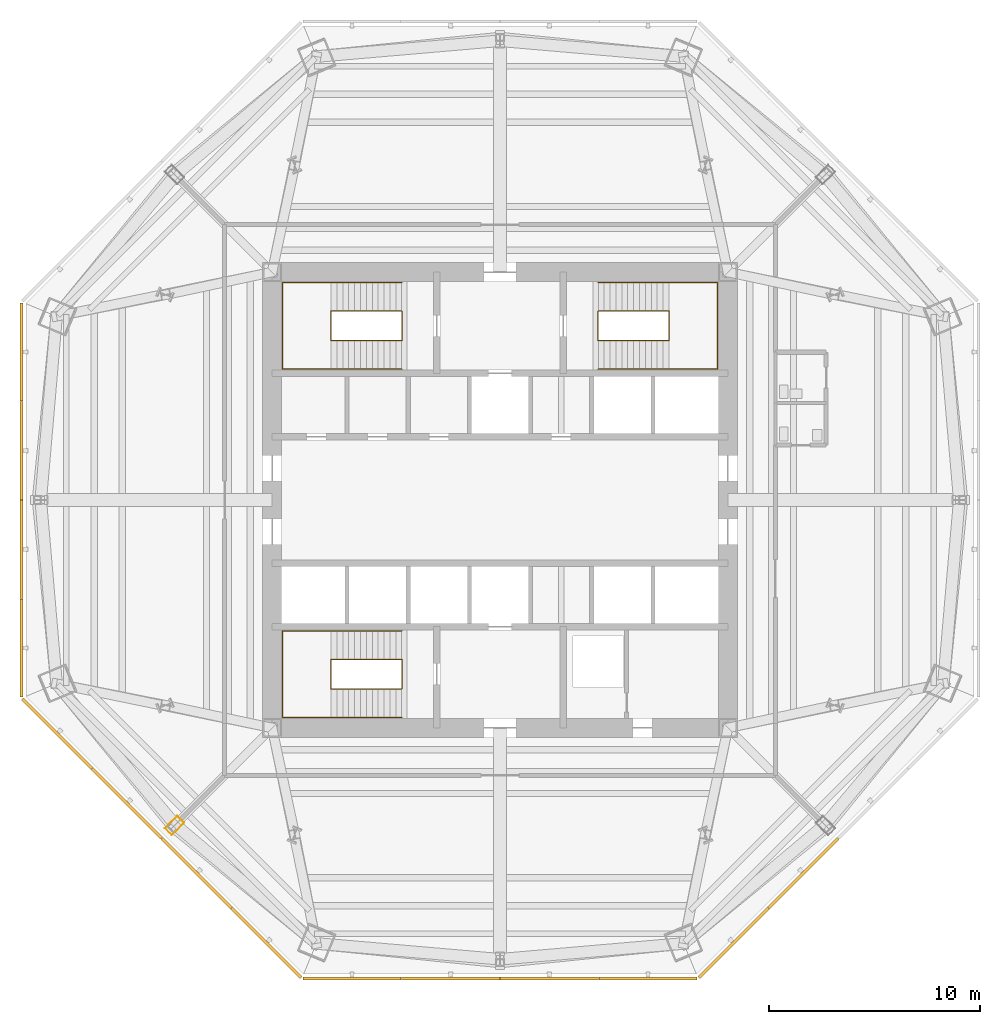
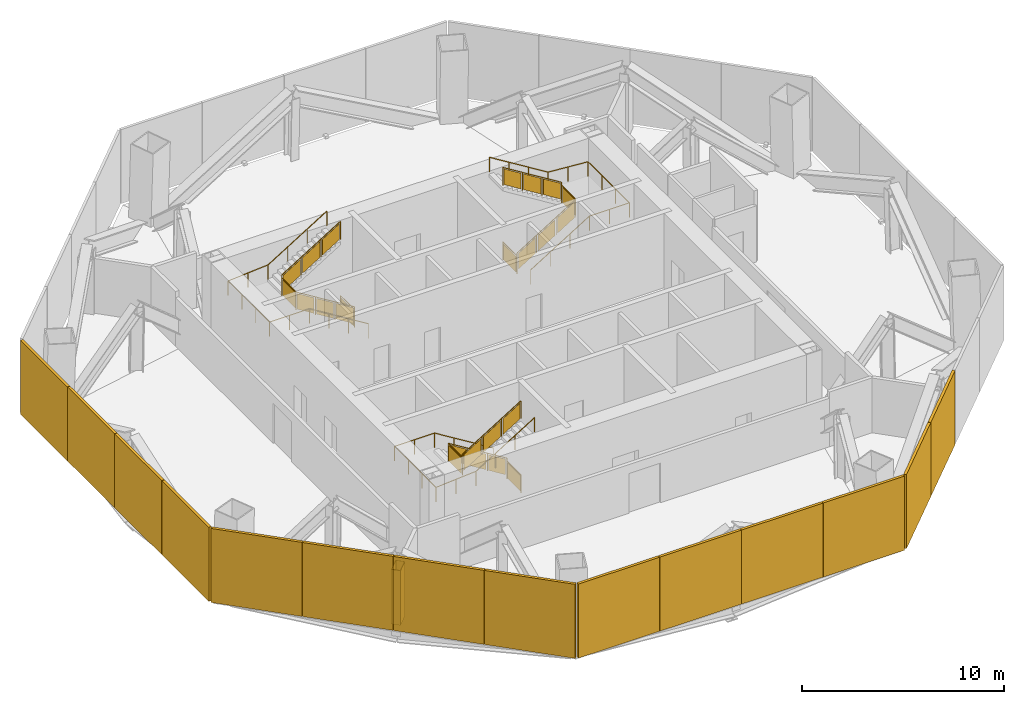
# One storey, part 7 of 9: 14 shading devices, 6 railings, 1 covering.
"""IFC4 building model written with IfcOpenShell, lengths in metres."""

from ifc_helpers import new_model, si_unit, direction, frame, origin, origin_2d, place, context, subcontext, project, spatial, polyline, rectangle, circle, outline, extrude, source, transform, mapped, material, layer, layer_set, type_object, type_shapes, element, save


model = new_model("IFC4")

# Units and contexts
model_context = context("Model", 3, precision=1e-05, world=origin(), true_north=direction((0.0, 1.0)))
body_context = subcontext(model_context, "Body", "Model", "MODEL_VIEW")
ifc_project = project(units=[si_unit("LENGTHUNIT", "METRE"), si_unit("AREAUNIT", "SQUARE_METRE"), si_unit("VOLUMEUNIT", "CUBIC_METRE"), si_unit("PLANEANGLEUNIT", "RADIAN"), si_unit("MASSUNIT", "GRAM", prefix="KILO")], contexts=[model_context])

# Site, building, storey
site_placement = place(None, origin())
site = spatial("IfcSite", under=ifc_project, at=site_placement, CompositionType="ELEMENT")
building_placement = place(site_placement, origin())
building = spatial("IfcBuilding", under=site, at=building_placement, Name="Mashrafa Tower", CompositionType="ELEMENT")
storey_placement = place(building_placement, frame((0.0, 0.0, 189.0)))
storey = spatial("IfcBuildingStorey", under=building, at=storey_placement, Name="L43", CompositionType="ELEMENT", Elevation=189.0)

# Covering
ifc_material_1 = material(Name="Gypsum board")
ifc_layer_1 = layer(ifc_material_1, 0.014892578125)
ifc_layer_set_1 = layer_set([ifc_layer_1], Name="Column casing plasterboard 15")
covering_type = type_object("IfcCoveringType", Name="Column casing plasterboard 15", PredefinedType="CLADDING", material=ifc_layer_set_1)
covering_placement = place(storey_placement, origin())
element("IfcCovering", 1, at=covering_placement, inside=storey, type_object=covering_type, Name="Column casing L43-003", PredefinedType="CLADDING", context=body_context, shape_type="SweptSolid", body=[
    extrude(outline(polyline([(-15.89111328125, -15.551513671875), (-15.298583984375, -14.959228515625), (-14.959228515625, -15.298583984375), (-15.551513671875, -15.89111328125), (-15.89111328125, -15.551513671875)]), holes=[polyline([(-14.98046875, -15.298583984375), (-15.298583984375, -14.98046875), (-15.869873046875, -15.551513671875), (-15.551513671875, -15.869873046875), (-14.98046875, -15.298583984375)])]), origin(), (0.0, 0.0, 1.0), 3.31298828125),
])

# Railings
ifc_material_2 = material(Name="Steel guard with glass infill", Category="steel")
railing_type_1 = type_object("IfcRailingType", Name="Stair guard 1100", PredefinedType="GUARDRAIL", material=ifc_material_2)
railing_1_placement = place(storey_placement, frame((-4.64990234375, 8.949951171875, 0.0)))
element("IfcRailing", 2, at=railing_1_placement, inside=storey, type_object=railing_type_1, Name="Stair S1 guard L43", PredefinedType="GUARDRAIL", context=body_context, shape_type="SweptSolid", body=[
    extrude(circle(Radius=0.02392578125, at=origin_2d()), frame((0.0, 0.0, 1.076171875), z_axis=(0.0, -1.0, 0.0), x_axis=(1.0, 0.0, 0.0)), (0.0, 0.0, 1.0), 1.39990234375),
    extrude(circle(Radius=0.02392578125, at=origin_2d()), frame((0.0, -1.39990234375, 1.076171875), z_axis=(0.0, 0.0, 1.0), x_axis=(1.0, 0.0, 0.0)), (0.0, 0.0, 1.0), 0.173095703125),
    extrude(circle(Radius=0.02392578125, at=origin_2d()), frame((0.0, -1.39990234375, 1.2490234375), z_axis=(-0.850623216509, 0.0, 0.525775754039), x_axis=(0.0, -1.0, 0.0)), (0.0, 0.0, 1.0), 3.9501953125),
    extrude(circle(Radius=0.02392578125, at=origin_2d()), frame((-3.360107421875, -1.39990234375, 3.326171875), z_axis=(0.0, 1.0, 0.0), x_axis=(-1.0, 0.0, 0.0)), (0.0, 0.0, 1.0), 1.39990234375),
    extrude(circle(Radius=0.02392578125, at=origin_2d()), frame((-3.360107421875, 0.0, 3.326171875), z_axis=(0.0, 0.0, 1.0), x_axis=(1.0, 0.0, 0.0)), (0.0, 0.0, 1.0), 0.173095703125),
    extrude(circle(Radius=0.02392578125, at=origin_2d()), frame((-3.360107421875, 0.0, 3.4990234375), z_axis=(0.850623216509, 0.0, 0.525775754039), x_axis=(0.0, 1.0, 0.0)), (0.0, 0.0, 1.0), 3.9501953125),
    extrude(circle(Radius=0.02099609375, at=origin_2d()), origin(), (0.0, 0.0, 1.0), 1.052001953125),
    extrude(circle(Radius=0.02099609375, at=origin_2d()), frame((0.0, -1.39990234375, 0.0)), (0.0, 0.0, 1.0), 1.052001953125),
    extrude(circle(Radius=0.02099609375, at=origin_2d()), frame((0.0, -1.39990234375, 0.173095703125)), (0.0, 0.0, 1.0), 1.052001953125),
    extrude(circle(Radius=0.02099609375, at=origin_2d()), frame((-1.1201171875, -1.39990234375, 0.865478515625)), (0.0, 0.0, 1.0), 1.052001953125),
    extrude(circle(Radius=0.02099609375, at=origin_2d()), frame((-2.239990234375, -1.39990234375, 1.5576171875)), (0.0, 0.0, 1.0), 1.052001953125),
    extrude(circle(Radius=0.02099609375, at=origin_2d()), frame((-3.360107421875, -1.39990234375, 2.25)), (0.0, 0.0, 1.0), 1.052001953125),
    extrude(circle(Radius=0.02099609375, at=origin_2d()), frame((-3.360107421875, 0.0, 2.25)), (0.0, 0.0, 1.0), 1.052001953125),
    extrude(circle(Radius=0.02099609375, at=origin_2d()), frame((-3.360107421875, 0.0, 2.423095703125)), (0.0, 0.0, 1.0), 1.052001953125),
    extrude(circle(Radius=0.02099609375, at=origin_2d()), frame((-2.239990234375, 0.0, 3.115478515625)), (0.0, 0.0, 1.0), 1.052001953125),
    extrude(circle(Radius=0.02099609375, at=origin_2d()), frame((-1.1201171875, 0.0, 3.8076171875)), (0.0, 0.0, 1.0), 1.052001953125),
    extrude(circle(Radius=0.02099609375, at=origin_2d()), frame((0.0, 0.0, 4.5)), (0.0, 0.0, 1.0), 1.052001953125),
    extrude(outline(polyline([(0.071044921875, 0.050048828125), (1.328857421875, 0.050048828125), (1.328857421875, 1.001953125), (0.071044921875, 1.001953125), (0.071044921875, 0.050048828125)])), frame((-0.006103515625, 0.0, 0.0), z_axis=(-1.0, 0.0, 0.0), x_axis=(0.0, -1.0, 0.0)), (0.0, 0.0, 1.0), 0.011962890625),
    extrude(outline(polyline([(0.071044921875, 0.093994140625), (1.049072265625, 0.698486328125), (1.049072265625, 1.650390625), (0.071044921875, 1.0458984375), (0.071044921875, 0.093994140625)])), frame((0.0, -1.393798828125, 0.173095703125), z_axis=(0.0, 1.0, 0.0), x_axis=(-1.0, 0.0, 0.0)), (0.0, 0.0, 1.0), 0.011962890625),
    extrude(outline(polyline([(1.19091796875, 0.7861328125), (2.169189453125, 1.390625), (2.169189453125, 2.3427734375), (1.19091796875, 1.73828125), (1.19091796875, 0.7861328125)])), frame((0.0, -1.393798828125, 0.173095703125), z_axis=(0.0, 1.0, 0.0), x_axis=(-1.0, 0.0, 0.0)), (0.0, 0.0, 1.0), 0.011962890625),
    extrude(outline(polyline([(2.31103515625, 1.478515625), (3.2890625, 2.0830078125), (3.2890625, 3.034912109375), (2.31103515625, 2.430419921875), (2.31103515625, 1.478515625)])), frame((0.0, -1.393798828125, 0.173095703125), z_axis=(0.0, 1.0, 0.0), x_axis=(-1.0, 0.0, 0.0)), (0.0, 0.0, 1.0), 0.011962890625),
    extrude(outline(polyline([(0.071044921875, 0.050048828125), (1.328857421875, 0.050048828125), (1.328857421875, 1.001953125), (0.071044921875, 1.001953125), (0.071044921875, 0.050048828125)])), frame((-3.35400390625, -1.39990234375, 2.25), z_axis=(1.0, 0.0, 0.0), x_axis=(0.0, 1.0, 0.0)), (0.0, 0.0, 1.0), 0.011962890625),
    extrude(outline(polyline([(0.071044921875, 0.093994140625), (1.049072265625, 0.698486328125), (1.049072265625, 1.650390625), (0.071044921875, 1.0458984375), (0.071044921875, 0.093994140625)])), frame((-3.360107421875, -0.006103515625, 2.423095703125), z_axis=(0.0, -1.0, 0.0), x_axis=(1.0, 0.0, 0.0)), (0.0, 0.0, 1.0), 0.011962890625),
    extrude(outline(polyline([(1.19091796875, 0.7861328125), (2.169189453125, 1.390625), (2.169189453125, 2.3427734375), (1.19091796875, 1.73828125), (1.19091796875, 0.7861328125)])), frame((-3.360107421875, -0.006103515625, 2.423095703125), z_axis=(0.0, -1.0, 0.0), x_axis=(1.0, 0.0, 0.0)), (0.0, 0.0, 1.0), 0.011962890625),
    extrude(outline(polyline([(2.31103515625, 1.478515625), (3.2890625, 2.0830078125), (3.2890625, 3.034912109375), (2.31103515625, 2.430419921875), (2.31103515625, 1.478515625)])), frame((-3.360107421875, -0.006103515625, 2.423095703125), z_axis=(0.0, -1.0, 0.0), x_axis=(1.0, 0.0, 0.0)), (0.0, 0.0, 1.0), 0.011962890625),
])
railing_2_placement = place(storey_placement, frame((4.64990234375, 8.949951171875, 0.0)))
element("IfcRailing", 3, at=railing_2_placement, inside=storey, type_object=railing_type_1, Name="Stair S2 guard L43", PredefinedType="GUARDRAIL", context=body_context, shape_type="SweptSolid", body=[
    extrude(circle(Radius=0.02392578125, at=origin_2d()), frame((0.0, 0.0, 1.076171875), z_axis=(0.0, -1.0, 0.0), x_axis=(1.0, 0.0, 0.0)), (0.0, 0.0, 1.0), 1.39990234375),
    extrude(circle(Radius=0.02392578125, at=origin_2d()), frame((0.0, -1.39990234375, 1.076171875), z_axis=(0.0, 0.0, 1.0), x_axis=(1.0, 0.0, 0.0)), (0.0, 0.0, 1.0), 0.173095703125),
    extrude(circle(Radius=0.02392578125, at=origin_2d()), frame((0.0, -1.39990234375, 1.2490234375), z_axis=(0.850623216509, 0.0, 0.525775754039), x_axis=(0.0, 1.0, 0.0)), (0.0, 0.0, 1.0), 3.9501953125),
    extrude(circle(Radius=0.02392578125, at=origin_2d()), frame((3.360107421875, -1.39990234375, 3.326171875), z_axis=(0.0, 1.0, 0.0), x_axis=(-1.0, 0.0, 0.0)), (0.0, 0.0, 1.0), 1.39990234375),
    extrude(circle(Radius=0.02392578125, at=origin_2d()), frame((3.360107421875, 0.0, 3.326171875), z_axis=(0.0, 0.0, 1.0), x_axis=(1.0, 0.0, 0.0)), (0.0, 0.0, 1.0), 0.173095703125),
    extrude(circle(Radius=0.02392578125, at=origin_2d()), frame((3.360107421875, 0.0, 3.4990234375), z_axis=(-0.850623216509, 0.0, 0.525775754039), x_axis=(0.0, -1.0, 0.0)), (0.0, 0.0, 1.0), 3.9501953125),
    extrude(circle(Radius=0.02099609375, at=origin_2d()), origin(), (0.0, 0.0, 1.0), 1.052001953125),
    extrude(circle(Radius=0.02099609375, at=origin_2d()), frame((0.0, -1.39990234375, 0.0)), (0.0, 0.0, 1.0), 1.052001953125),
    extrude(circle(Radius=0.02099609375, at=origin_2d()), frame((0.0, -1.39990234375, 0.173095703125)), (0.0, 0.0, 1.0), 1.052001953125),
    extrude(circle(Radius=0.02099609375, at=origin_2d()), frame((1.1201171875, -1.39990234375, 0.865478515625)), (0.0, 0.0, 1.0), 1.052001953125),
    extrude(circle(Radius=0.02099609375, at=origin_2d()), frame((2.239990234375, -1.39990234375, 1.5576171875)), (0.0, 0.0, 1.0), 1.052001953125),
    extrude(circle(Radius=0.02099609375, at=origin_2d()), frame((3.360107421875, -1.39990234375, 2.25)), (0.0, 0.0, 1.0), 1.052001953125),
    extrude(circle(Radius=0.02099609375, at=origin_2d()), frame((3.360107421875, 0.0, 2.25)), (0.0, 0.0, 1.0), 1.052001953125),
    extrude(circle(Radius=0.02099609375, at=origin_2d()), frame((3.360107421875, 0.0, 2.423095703125)), (0.0, 0.0, 1.0), 1.052001953125),
    extrude(circle(Radius=0.02099609375, at=origin_2d()), frame((2.239990234375, 0.0, 3.115478515625)), (0.0, 0.0, 1.0), 1.052001953125),
    extrude(circle(Radius=0.02099609375, at=origin_2d()), frame((1.1201171875, 0.0, 3.8076171875)), (0.0, 0.0, 1.0), 1.052001953125),
    extrude(circle(Radius=0.02099609375, at=origin_2d()), frame((0.0, 0.0, 4.5)), (0.0, 0.0, 1.0), 1.052001953125),
    extrude(outline(polyline([(0.071044921875, 0.050048828125), (1.328857421875, 0.050048828125), (1.328857421875, 1.001953125), (0.071044921875, 1.001953125), (0.071044921875, 0.050048828125)])), frame((-0.006103515625, 0.0, 0.0), z_axis=(-1.0, 0.0, 0.0), x_axis=(0.0, -1.0, 0.0)), (0.0, 0.0, 1.0), 0.011962890625),
    extrude(outline(polyline([(0.071044921875, 0.093994140625), (1.049072265625, 0.698486328125), (1.049072265625, 1.650390625), (0.071044921875, 1.0458984375), (0.071044921875, 0.093994140625)])), frame((0.0, -1.406005859375, 0.173095703125), z_axis=(0.0, -1.0, 0.0), x_axis=(1.0, 0.0, 0.0)), (0.0, 0.0, 1.0), 0.011962890625),
    extrude(outline(polyline([(1.19091796875, 0.7861328125), (2.169189453125, 1.390625), (2.169189453125, 2.3427734375), (1.19091796875, 1.73828125), (1.19091796875, 0.7861328125)])), frame((0.0, -1.406005859375, 0.173095703125), z_axis=(0.0, -1.0, 0.0), x_axis=(1.0, 0.0, 0.0)), (0.0, 0.0, 1.0), 0.011962890625),
    extrude(outline(polyline([(2.31103515625, 1.478515625), (3.2890625, 2.0830078125), (3.2890625, 3.034912109375), (2.31103515625, 2.430419921875), (2.31103515625, 1.478515625)])), frame((0.0, -1.406005859375, 0.173095703125), z_axis=(0.0, -1.0, 0.0), x_axis=(1.0, 0.0, 0.0)), (0.0, 0.0, 1.0), 0.011962890625),
    extrude(outline(polyline([(0.071044921875, 0.050048828125), (1.328857421875, 0.050048828125), (1.328857421875, 1.001953125), (0.071044921875, 1.001953125), (0.071044921875, 0.050048828125)])), frame((3.3662109375, -1.39990234375, 2.25), z_axis=(1.0, 0.0, 0.0), x_axis=(0.0, 1.0, 0.0)), (0.0, 0.0, 1.0), 0.011962890625),
    extrude(outline(polyline([(0.071044921875, 0.093994140625), (1.049072265625, 0.698486328125), (1.049072265625, 1.650390625), (0.071044921875, 1.0458984375), (0.071044921875, 0.093994140625)])), frame((3.360107421875, 0.006103515625, 2.423095703125), z_axis=(0.0, 1.0, 0.0), x_axis=(-1.0, 0.0, 0.0)), (0.0, 0.0, 1.0), 0.011962890625),
    extrude(outline(polyline([(1.19091796875, 0.7861328125), (2.169189453125, 1.390625), (2.169189453125, 2.3427734375), (1.19091796875, 1.73828125), (1.19091796875, 0.7861328125)])), frame((3.360107421875, 0.006103515625, 2.423095703125), z_axis=(0.0, 1.0, 0.0), x_axis=(-1.0, 0.0, 0.0)), (0.0, 0.0, 1.0), 0.011962890625),
    extrude(outline(polyline([(2.31103515625, 1.478515625), (3.2890625, 2.0830078125), (3.2890625, 3.034912109375), (2.31103515625, 2.430419921875), (2.31103515625, 1.478515625)])), frame((3.360107421875, 0.006103515625, 2.423095703125), z_axis=(0.0, 1.0, 0.0), x_axis=(-1.0, 0.0, 0.0)), (0.0, 0.0, 1.0), 0.011962890625),
])
railing_3_placement = place(storey_placement, frame((-4.64990234375, -8.949951171875, 0.0)))
element("IfcRailing", 4, at=railing_3_placement, inside=storey, type_object=railing_type_1, Name="Stair S3 guard L43", PredefinedType="GUARDRAIL", context=body_context, shape_type="SweptSolid", body=[
    extrude(circle(Radius=0.02392578125, at=origin_2d()), frame((0.0, 0.0, 1.076171875), z_axis=(0.0, 1.0, 0.0), x_axis=(-1.0, 0.0, 0.0)), (0.0, 0.0, 1.0), 1.39990234375),
    extrude(circle(Radius=0.02392578125, at=origin_2d()), frame((0.0, 1.39990234375, 1.076171875), z_axis=(0.0, 0.0, 1.0), x_axis=(1.0, 0.0, 0.0)), (0.0, 0.0, 1.0), 0.173095703125),
    extrude(circle(Radius=0.02392578125, at=origin_2d()), frame((0.0, 1.39990234375, 1.2490234375), z_axis=(-0.850623216509, 0.0, 0.525775754039), x_axis=(0.0, -1.0, 0.0)), (0.0, 0.0, 1.0), 3.9501953125),
    extrude(circle(Radius=0.02392578125, at=origin_2d()), frame((-3.360107421875, 1.39990234375, 3.326171875), z_axis=(0.0, -1.0, 0.0), x_axis=(1.0, 0.0, 0.0)), (0.0, 0.0, 1.0), 1.39990234375),
    extrude(circle(Radius=0.02392578125, at=origin_2d()), frame((-3.360107421875, 0.0, 3.326171875), z_axis=(0.0, 0.0, 1.0), x_axis=(1.0, 0.0, 0.0)), (0.0, 0.0, 1.0), 0.173095703125),
    extrude(circle(Radius=0.02392578125, at=origin_2d()), frame((-3.360107421875, 0.0, 3.4990234375), z_axis=(0.850623216509, 0.0, 0.525775754039), x_axis=(0.0, 1.0, 0.0)), (0.0, 0.0, 1.0), 3.9501953125),
    extrude(circle(Radius=0.02099609375, at=origin_2d()), origin(), (0.0, 0.0, 1.0), 1.052001953125),
    extrude(circle(Radius=0.02099609375, at=origin_2d()), frame((0.0, 1.39990234375, 0.0)), (0.0, 0.0, 1.0), 1.052001953125),
    extrude(circle(Radius=0.02099609375, at=origin_2d()), frame((0.0, 1.39990234375, 0.173095703125)), (0.0, 0.0, 1.0), 1.052001953125),
    extrude(circle(Radius=0.02099609375, at=origin_2d()), frame((-1.1201171875, 1.39990234375, 0.865478515625)), (0.0, 0.0, 1.0), 1.052001953125),
    extrude(circle(Radius=0.02099609375, at=origin_2d()), frame((-2.239990234375, 1.39990234375, 1.5576171875)), (0.0, 0.0, 1.0), 1.052001953125),
    extrude(circle(Radius=0.02099609375, at=origin_2d()), frame((-3.360107421875, 1.39990234375, 2.25)), (0.0, 0.0, 1.0), 1.052001953125),
    extrude(circle(Radius=0.02099609375, at=origin_2d()), frame((-3.360107421875, 0.0, 2.25)), (0.0, 0.0, 1.0), 1.052001953125),
    extrude(circle(Radius=0.02099609375, at=origin_2d()), frame((-3.360107421875, 0.0, 2.423095703125)), (0.0, 0.0, 1.0), 1.052001953125),
    extrude(circle(Radius=0.02099609375, at=origin_2d()), frame((-2.239990234375, 0.0, 3.115478515625)), (0.0, 0.0, 1.0), 1.052001953125),
    extrude(circle(Radius=0.02099609375, at=origin_2d()), frame((-1.1201171875, 0.0, 3.8076171875)), (0.0, 0.0, 1.0), 1.052001953125),
    extrude(circle(Radius=0.02099609375, at=origin_2d()), frame((0.0, 0.0, 4.5)), (0.0, 0.0, 1.0), 1.052001953125),
    extrude(outline(polyline([(0.071044921875, 0.050048828125), (1.328857421875, 0.050048828125), (1.328857421875, 1.001953125), (0.071044921875, 1.001953125), (0.071044921875, 0.050048828125)])), frame((0.006103515625, 0.0, 0.0), z_axis=(1.0, 0.0, 0.0), x_axis=(0.0, 1.0, 0.0)), (0.0, 0.0, 1.0), 0.011962890625),
    extrude(outline(polyline([(0.071044921875, 0.093994140625), (1.049072265625, 0.698486328125), (1.049072265625, 1.650390625), (0.071044921875, 1.0458984375), (0.071044921875, 0.093994140625)])), frame((0.0, 1.406005859375, 0.173095703125), z_axis=(0.0, 1.0, 0.0), x_axis=(-1.0, 0.0, 0.0)), (0.0, 0.0, 1.0), 0.011962890625),
    extrude(outline(polyline([(1.19091796875, 0.7861328125), (2.169189453125, 1.390625), (2.169189453125, 2.3427734375), (1.19091796875, 1.73828125), (1.19091796875, 0.7861328125)])), frame((0.0, 1.406005859375, 0.173095703125), z_axis=(0.0, 1.0, 0.0), x_axis=(-1.0, 0.0, 0.0)), (0.0, 0.0, 1.0), 0.011962890625),
    extrude(outline(polyline([(2.31103515625, 1.478515625), (3.2890625, 2.0830078125), (3.2890625, 3.034912109375), (2.31103515625, 2.430419921875), (2.31103515625, 1.478515625)])), frame((0.0, 1.406005859375, 0.173095703125), z_axis=(0.0, 1.0, 0.0), x_axis=(-1.0, 0.0, 0.0)), (0.0, 0.0, 1.0), 0.011962890625),
    extrude(outline(polyline([(0.071044921875, 0.050048828125), (1.328857421875, 0.050048828125), (1.328857421875, 1.001953125), (0.071044921875, 1.001953125), (0.071044921875, 0.050048828125)])), frame((-3.3662109375, 1.39990234375, 2.25), z_axis=(-1.0, 0.0, 0.0), x_axis=(0.0, -1.0, 0.0)), (0.0, 0.0, 1.0), 0.011962890625),
    extrude(outline(polyline([(0.071044921875, 0.093994140625), (1.049072265625, 0.698486328125), (1.049072265625, 1.650390625), (0.071044921875, 1.0458984375), (0.071044921875, 0.093994140625)])), frame((-3.360107421875, -0.006103515625, 2.423095703125), z_axis=(0.0, -1.0, 0.0), x_axis=(1.0, 0.0, 0.0)), (0.0, 0.0, 1.0), 0.011962890625),
    extrude(outline(polyline([(1.19091796875, 0.7861328125), (2.169189453125, 1.390625), (2.169189453125, 2.3427734375), (1.19091796875, 1.73828125), (1.19091796875, 0.7861328125)])), frame((-3.360107421875, -0.006103515625, 2.423095703125), z_axis=(0.0, -1.0, 0.0), x_axis=(1.0, 0.0, 0.0)), (0.0, 0.0, 1.0), 0.011962890625),
    extrude(outline(polyline([(2.31103515625, 1.478515625), (3.2890625, 2.0830078125), (3.2890625, 3.034912109375), (2.31103515625, 2.430419921875), (2.31103515625, 1.478515625)])), frame((-3.360107421875, -0.006103515625, 2.423095703125), z_axis=(0.0, -1.0, 0.0), x_axis=(1.0, 0.0, 0.0)), (0.0, 0.0, 1.0), 0.011962890625),
])
ifc_material_3 = material(Name="Steel", Category="steel")
railing_type_2 = type_object("IfcRailingType", Name="Stair handrail 900", PredefinedType="HANDRAIL", material=ifc_material_3)
railing_4_placement = place(storey_placement, frame((-4.64990234375, 6.199951171875, 0.173095703125)))
element("IfcRailing", 5, at=railing_4_placement, inside=storey, type_object=railing_type_2, Name="Stair S1 handrail L43", PredefinedType="HANDRAIL", context=body_context, shape_type="SweptSolid", body=[
    extrude(circle(Radius=0.02392578125, at=origin_2d()), frame((0.0, 0.0, 0.8759765625), z_axis=(-0.850623216509, 0.0, 0.525775754039), x_axis=(0.0, -1.0, 0.0)), (0.0, 0.0, 1.0), 3.9501953125),
    extrude(circle(Radius=0.02392578125, at=origin_2d()), frame((-3.360107421875, 0.0, 2.95263671875), z_axis=(-1.0, 0.0, 0.0), x_axis=(0.0, -1.0, 0.0)), (0.0, 0.0, 1.0), 2.2900390625),
    extrude(circle(Radius=0.02392578125, at=origin_2d()), frame((-5.650146484375, 0.0, 2.95263671875), z_axis=(0.0, 1.0, 0.0), x_axis=(-1.0, 0.0, 0.0)), (0.0, 0.0, 1.0), 4.10009765625),
    extrude(circle(Radius=0.02392578125, at=origin_2d()), frame((-5.650146484375, 4.10009765625, 2.95263671875), z_axis=(0.99715553422, 0.0, 0.075371351147), x_axis=(0.0, 1.0, 0.0)), (0.0, 0.0, 1.0), 2.296630859375),
    extrude(circle(Radius=0.02392578125, at=origin_2d()), frame((-3.360107421875, 4.10009765625, 3.1259765625), z_axis=(0.850623216509, 0.0, 0.525775754039), x_axis=(0.0, 1.0, 0.0)), (0.0, 0.0, 1.0), 3.9501953125),
    extrude(circle(Radius=0.02099609375, at=origin_2d()), origin(), (0.0, 0.0, 1.0), 0.851806640625),
    extrude(circle(Radius=0.02099609375, at=origin_2d()), frame((-1.1201171875, 0.0, 0.6923828125)), (0.0, 0.0, 1.0), 0.851806640625),
    extrude(circle(Radius=0.02099609375, at=origin_2d()), frame((-2.239990234375, 0.0, 1.384521484375)), (0.0, 0.0, 1.0), 0.851806640625),
    extrude(circle(Radius=0.02099609375, at=origin_2d()), frame((-3.360107421875, 0.0, 2.076904296875)), (0.0, 0.0, 1.0), 0.851806640625),
    extrude(circle(Radius=0.02099609375, at=origin_2d()), frame((-4.505126953125, 0.0, 2.076904296875)), (0.0, 0.0, 1.0), 0.851806640625),
    extrude(circle(Radius=0.02099609375, at=origin_2d()), frame((-5.650146484375, 0.0, 2.076904296875)), (0.0, 0.0, 1.0), 0.851806640625),
    extrude(circle(Radius=0.02099609375, at=origin_2d()), frame((-5.650146484375, 1.36669921875, 2.076904296875)), (0.0, 0.0, 1.0), 0.851806640625),
    extrude(circle(Radius=0.02099609375, at=origin_2d()), frame((-5.650146484375, 2.7333984375, 2.076904296875)), (0.0, 0.0, 1.0), 0.851806640625),
    extrude(circle(Radius=0.02099609375, at=origin_2d()), frame((-5.650146484375, 4.10009765625, 2.076904296875)), (0.0, 0.0, 1.0), 0.851806640625),
    extrude(circle(Radius=0.02099609375, at=origin_2d()), frame((-4.505126953125, 4.10009765625, 2.16357421875)), (0.0, 0.0, 1.0), 0.851806640625),
    extrude(circle(Radius=0.02099609375, at=origin_2d()), frame((-3.360107421875, 4.10009765625, 2.25)), (0.0, 0.0, 1.0), 0.851806640625),
    extrude(circle(Radius=0.02099609375, at=origin_2d()), frame((-2.239990234375, 4.10009765625, 2.9423828125)), (0.0, 0.0, 1.0), 0.851806640625),
    extrude(circle(Radius=0.02099609375, at=origin_2d()), frame((-1.1201171875, 4.10009765625, 3.634521484375)), (0.0, 0.0, 1.0), 0.851806640625),
    extrude(circle(Radius=0.02099609375, at=origin_2d()), frame((0.0, 4.10009765625, 4.326904296875)), (0.0, 0.0, 1.0), 0.851806640625),
])
railing_5_placement = place(storey_placement, frame((4.64990234375, 6.199951171875, 0.173095703125)))
element("IfcRailing", 6, at=railing_5_placement, inside=storey, type_object=railing_type_2, Name="Stair S2 handrail L43", PredefinedType="HANDRAIL", context=body_context, shape_type="SweptSolid", body=[
    extrude(circle(Radius=0.02392578125, at=origin_2d()), frame((0.0, 0.0, 0.8759765625), z_axis=(0.850623216509, 0.0, 0.525775754039), x_axis=(0.0, 1.0, 0.0)), (0.0, 0.0, 1.0), 3.9501953125),
    extrude(circle(Radius=0.02392578125, at=origin_2d()), frame((3.360107421875, 0.0, 2.95263671875), z_axis=(1.0, 0.0, 0.0), x_axis=(0.0, 1.0, 0.0)), (0.0, 0.0, 1.0), 2.2900390625),
    extrude(circle(Radius=0.02392578125, at=origin_2d()), frame((5.650146484375, 0.0, 2.95263671875), z_axis=(0.0, 1.0, 0.0), x_axis=(-1.0, 0.0, 0.0)), (0.0, 0.0, 1.0), 4.10009765625),
    extrude(circle(Radius=0.02392578125, at=origin_2d()), frame((5.650146484375, 4.10009765625, 2.95263671875), z_axis=(-0.99715553422, 0.0, 0.075371351147), x_axis=(0.0, -1.0, 0.0)), (0.0, 0.0, 1.0), 2.296630859375),
    extrude(circle(Radius=0.02392578125, at=origin_2d()), frame((3.360107421875, 4.10009765625, 3.1259765625), z_axis=(-0.850623216509, 0.0, 0.525775754039), x_axis=(0.0, -1.0, 0.0)), (0.0, 0.0, 1.0), 3.9501953125),
    extrude(circle(Radius=0.02099609375, at=origin_2d()), origin(), (0.0, 0.0, 1.0), 0.851806640625),
    extrude(circle(Radius=0.02099609375, at=origin_2d()), frame((1.1201171875, 0.0, 0.6923828125)), (0.0, 0.0, 1.0), 0.851806640625),
    extrude(circle(Radius=0.02099609375, at=origin_2d()), frame((2.239990234375, 0.0, 1.384521484375)), (0.0, 0.0, 1.0), 0.851806640625),
    extrude(circle(Radius=0.02099609375, at=origin_2d()), frame((3.360107421875, 0.0, 2.076904296875)), (0.0, 0.0, 1.0), 0.851806640625),
    extrude(circle(Radius=0.02099609375, at=origin_2d()), frame((4.505126953125, 0.0, 2.076904296875)), (0.0, 0.0, 1.0), 0.851806640625),
    extrude(circle(Radius=0.02099609375, at=origin_2d()), frame((5.650146484375, 0.0, 2.076904296875)), (0.0, 0.0, 1.0), 0.851806640625),
    extrude(circle(Radius=0.02099609375, at=origin_2d()), frame((5.650146484375, 1.36669921875, 2.076904296875)), (0.0, 0.0, 1.0), 0.851806640625),
    extrude(circle(Radius=0.02099609375, at=origin_2d()), frame((5.650146484375, 2.7333984375, 2.076904296875)), (0.0, 0.0, 1.0), 0.851806640625),
    extrude(circle(Radius=0.02099609375, at=origin_2d()), frame((5.650146484375, 4.10009765625, 2.076904296875)), (0.0, 0.0, 1.0), 0.851806640625),
    extrude(circle(Radius=0.02099609375, at=origin_2d()), frame((4.505126953125, 4.10009765625, 2.16357421875)), (0.0, 0.0, 1.0), 0.851806640625),
    extrude(circle(Radius=0.02099609375, at=origin_2d()), frame((3.360107421875, 4.10009765625, 2.25)), (0.0, 0.0, 1.0), 0.851806640625),
    extrude(circle(Radius=0.02099609375, at=origin_2d()), frame((2.239990234375, 4.10009765625, 2.9423828125)), (0.0, 0.0, 1.0), 0.851806640625),
    extrude(circle(Radius=0.02099609375, at=origin_2d()), frame((1.1201171875, 4.10009765625, 3.634521484375)), (0.0, 0.0, 1.0), 0.851806640625),
    extrude(circle(Radius=0.02099609375, at=origin_2d()), frame((0.0, 4.10009765625, 4.326904296875)), (0.0, 0.0, 1.0), 0.851806640625),
])
railing_6_placement = place(storey_placement, frame((-4.64990234375, -6.199951171875, 0.173095703125)))
element("IfcRailing", 7, at=railing_6_placement, inside=storey, type_object=railing_type_2, Name="Stair S3 handrail L43", PredefinedType="HANDRAIL", context=body_context, shape_type="SweptSolid", body=[
    extrude(circle(Radius=0.02392578125, at=origin_2d()), frame((0.0, 0.0, 0.8759765625), z_axis=(-0.850623216509, 0.0, 0.525775754039), x_axis=(0.0, -1.0, 0.0)), (0.0, 0.0, 1.0), 3.9501953125),
    extrude(circle(Radius=0.02392578125, at=origin_2d()), frame((-3.360107421875, 0.0, 2.95263671875), z_axis=(-1.0, 0.0, 0.0), x_axis=(0.0, -1.0, 0.0)), (0.0, 0.0, 1.0), 2.2900390625),
    extrude(circle(Radius=0.02392578125, at=origin_2d()), frame((-5.650146484375, 0.0, 2.95263671875), z_axis=(0.0, -1.0, 0.0), x_axis=(1.0, 0.0, 0.0)), (0.0, 0.0, 1.0), 4.10009765625),
    extrude(circle(Radius=0.02392578125, at=origin_2d()), frame((-5.650146484375, -4.10009765625, 2.95263671875), z_axis=(0.99715553422, 0.0, 0.075371351147), x_axis=(0.0, 1.0, 0.0)), (0.0, 0.0, 1.0), 2.296630859375),
    extrude(circle(Radius=0.02392578125, at=origin_2d()), frame((-3.360107421875, -4.10009765625, 3.1259765625), z_axis=(0.850623216509, 0.0, 0.525775754039), x_axis=(0.0, 1.0, 0.0)), (0.0, 0.0, 1.0), 3.9501953125),
    extrude(circle(Radius=0.02099609375, at=origin_2d()), origin(), (0.0, 0.0, 1.0), 0.851806640625),
    extrude(circle(Radius=0.02099609375, at=origin_2d()), frame((-1.1201171875, 0.0, 0.6923828125)), (0.0, 0.0, 1.0), 0.851806640625),
    extrude(circle(Radius=0.02099609375, at=origin_2d()), frame((-2.239990234375, 0.0, 1.384521484375)), (0.0, 0.0, 1.0), 0.851806640625),
    extrude(circle(Radius=0.02099609375, at=origin_2d()), frame((-3.360107421875, 0.0, 2.076904296875)), (0.0, 0.0, 1.0), 0.851806640625),
    extrude(circle(Radius=0.02099609375, at=origin_2d()), frame((-4.505126953125, 0.0, 2.076904296875)), (0.0, 0.0, 1.0), 0.851806640625),
    extrude(circle(Radius=0.02099609375, at=origin_2d()), frame((-5.650146484375, 0.0, 2.076904296875)), (0.0, 0.0, 1.0), 0.851806640625),
    extrude(circle(Radius=0.02099609375, at=origin_2d()), frame((-5.650146484375, -1.36669921875, 2.076904296875)), (0.0, 0.0, 1.0), 0.851806640625),
    extrude(circle(Radius=0.02099609375, at=origin_2d()), frame((-5.650146484375, -2.7333984375, 2.076904296875)), (0.0, 0.0, 1.0), 0.851806640625),
    extrude(circle(Radius=0.02099609375, at=origin_2d()), frame((-5.650146484375, -4.10009765625, 2.076904296875)), (0.0, 0.0, 1.0), 0.851806640625),
    extrude(circle(Radius=0.02099609375, at=origin_2d()), frame((-4.505126953125, -4.10009765625, 2.16357421875)), (0.0, 0.0, 1.0), 0.851806640625),
    extrude(circle(Radius=0.02099609375, at=origin_2d()), frame((-3.360107421875, -4.10009765625, 2.25)), (0.0, 0.0, 1.0), 0.851806640625),
    extrude(circle(Radius=0.02099609375, at=origin_2d()), frame((-2.239990234375, -4.10009765625, 2.9423828125)), (0.0, 0.0, 1.0), 0.851806640625),
    extrude(circle(Radius=0.02099609375, at=origin_2d()), frame((-1.1201171875, -4.10009765625, 3.634521484375)), (0.0, 0.0, 1.0), 0.851806640625),
    extrude(circle(Radius=0.02099609375, at=origin_2d()), frame((0.0, -4.10009765625, 4.326904296875)), (0.0, 0.0, 1.0), 0.851806640625),
])

# Shading devices
ifc_material_4 = material(Name="Extruded aluminium weather louvre", Category="aluminium")
ifc_layer_2 = layer(ifc_material_4, 0.14990234375)
ifc_layer_set_2 = layer_set([ifc_layer_2], Name="Plant louvre screen 150")
shading_device_type = type_object("IfcShadingDeviceType", Name="Plant louvre screen 150", PredefinedType="SHUTTER", material=ifc_layer_set_2)
shared_shape = source(origin(), body_context, "Body", "SweptSolid", [
    extrude(rectangle(XDim=4.654296875, YDim=0.14990234375, at=origin_2d()), origin(), (0.0, 0.0, 1.0), 4.47998046875),
])
type_shapes(shading_device_type, [shared_shape])
for number, where, z_axis, x_axis, name in (
    (8, (-22.668212890625, 7.01123046875, 0.0), (0.0, 0.0, 1.0), (0.0, -1.0, 0.0), "Plant louvre screen L43 west 1"),
    (9, (-22.668212890625, 2.337158203125, 0.0), (0.0, 0.0, 1.0), (0.0, -1.0, 0.0), "Plant louvre screen L43 west 2"),
    (10, (-22.668212890625, -2.337158203125, 0.0), (0.0, 0.0, 1.0), (0.0, -1.0, 0.0), "Plant louvre screen L43 west 3"),
    (11, (-22.668212890625, -7.01123046875, 0.0), (0.0, 0.0, 1.0), (0.0, -1.0, 0.0), "Plant louvre screen L43 west 4"),
    (12, (-20.986572265625, -11.071044921875, 0.0), (0.0, 0.0, 1.0), (0.707106781187, -0.707106781187, 0.0), "Plant louvre screen L43 south-west 1"),
    (13, (-17.681396484375, -14.376220703125, 0.0), (0.0, 0.0, 1.0), (0.707106781187, -0.707106781187, 0.0), "Plant louvre screen L43 south-west 2"),
    (14, (-14.376220703125, -17.681396484375, 0.0), (0.0, 0.0, 1.0), (0.707106781187, -0.707106781187, 0.0), "Plant louvre screen L43 south-west 3"),
    (15, (-11.071044921875, -20.986572265625, 0.0), (0.0, 0.0, 1.0), (0.707106781187, -0.707106781187, 0.0), "Plant louvre screen L43 south-west 4"),
    (16, (-7.01123046875, -22.668212890625, 0.0), (0.0, 0.0, 1.0), (1.0, 0.0, 0.0), "Plant louvre screen L43 south 1"),
    (17, (-2.337158203125, -22.668212890625, 0.0), (0.0, 0.0, 1.0), (1.0, 0.0, 0.0), "Plant louvre screen L43 south 2"),
    (18, (2.337158203125, -22.668212890625, 0.0), (0.0, 0.0, 1.0), (1.0, 0.0, 0.0), "Plant louvre screen L43 south 3"),
    (19, (7.01123046875, -22.668212890625, 0.0), (0.0, 0.0, 1.0), (1.0, 0.0, 0.0), "Plant louvre screen L43 south 4"),
    (20, (11.071044921875, -20.986572265625, 0.0), (0.0, 0.0, 1.0), (0.707106781187, 0.707106781187, 0.0), "Plant louvre screen L43 south-east 1"),
    (21, (14.376220703125, -17.681396484375, 0.0), (0.0, 0.0, 1.0), (0.707106781187, 0.707106781187, 0.0), "Plant louvre screen L43 south-east 2"),
):
    element("IfcShadingDevice", number, at=place(storey_placement, frame(where, z_axis=z_axis, x_axis=x_axis)), inside=storey, type_object=shading_device_type, Name=name, PredefinedType="SHUTTER", context=body_context, shape_type="MappedRepresentation", body=[
        mapped(shared_shape, transform((0.0, 0.0, 0.0))),
    ])

save(model, "model.ifc")
